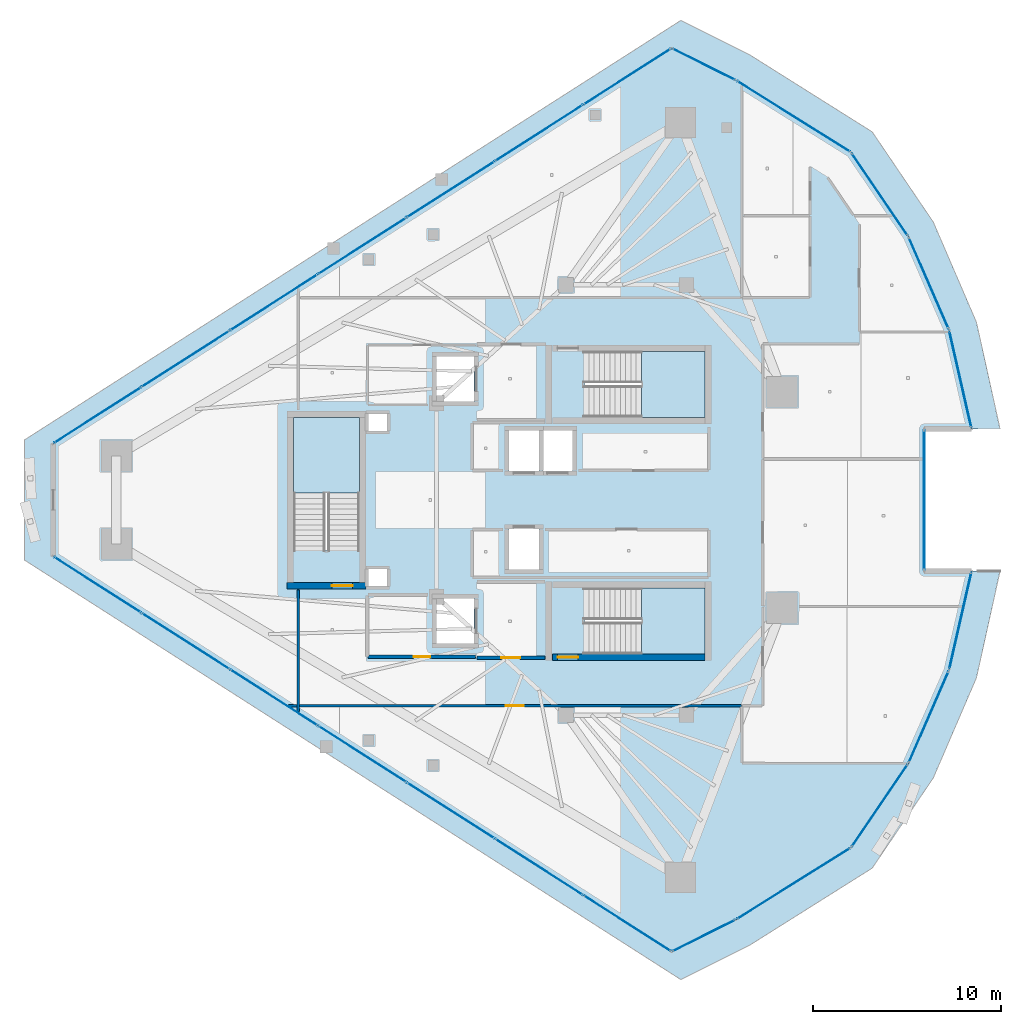
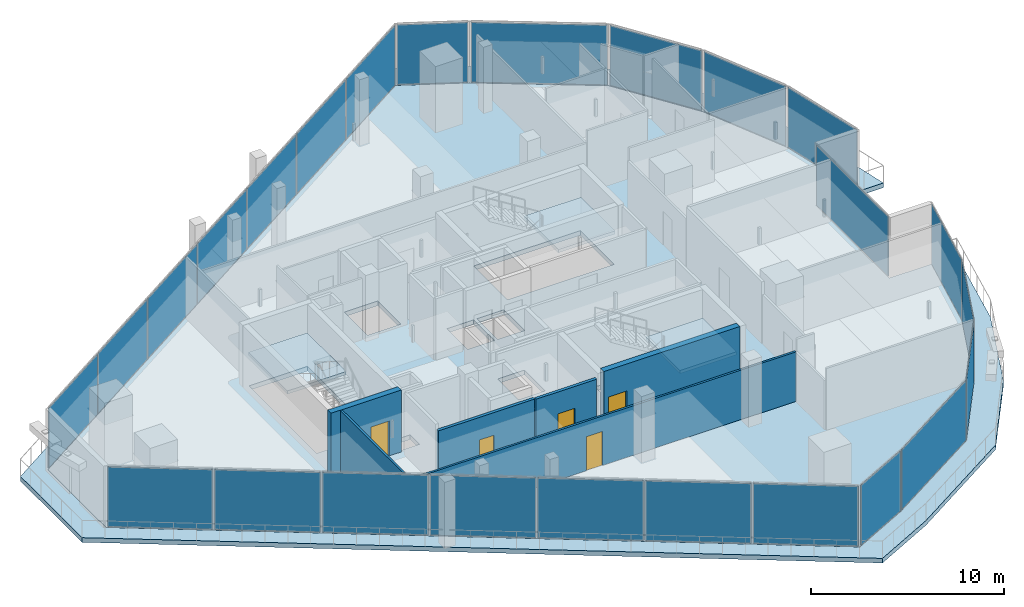
# One storey, part 24 of 34: 25 plates, 6 walls, 5 doors, 5 slabs, 5 openings, 16 elements without a shape of their own.
"""IFC4 building model written with IfcOpenShell, lengths in metres."""

import ifcopenshell
import ifcopenshell.guid

model = None  # the IFC model being written
_history = None  # IfcOwnerHistory: only IFC2X3 demands one
_inside = {}  # id of a spatial element -> (the spatial element, [elements in it])
_under = {}  # id of a project, library or spatial element -> (it, [spatial elements below it])
_declared = {}  # id of a project -> (the project, [libraries it declares])
_typed = {}  # id of a type object -> (the type object, [elements of that type])
_made_of = {}  # id of a material, layer set ... -> (it, [elements and type objects made of it])


def new_model(schema):
    """Start an empty IFC model of exactly this schema.

    Asked for "IFC4X3", IfcOpenShell would pick the latest addendum, in which some entities
    have other attributes; the version numbers below select the first issue.
    IFC2X3 requires an IfcOwnerHistory on every rooted entity: one is made here for all.
    """
    global model, _history
    if schema == "IFC4X3":
        model = ifcopenshell.file(schema_version=(4, 3, 0, 0))
    else:
        model = ifcopenshell.file(schema=schema)
    _inside.clear()
    _under.clear()
    _declared.clear()
    _typed.clear()
    _made_of.clear()
    _history = None
    if model.schema == "IFC2X3":
        org = make("IfcOrganization", Name="unknown")
        user = make(
            "IfcPersonAndOrganization",
            ThePerson=make("IfcPerson", FamilyName="unknown"),
            TheOrganization=org,
        )
        app = make(
            "IfcApplication",
            ApplicationDeveloper=org,
            Version="unknown",
            ApplicationFullName="unknown",
            ApplicationIdentifier="unknown",
        )
        _history = make(
            "IfcOwnerHistory",
            OwningUser=user,
            OwningApplication=app,
            ChangeAction="ADDED",
            CreationDate=0,
        )
    return model


def make(cls, **values):
    """One entity of the class cls with the attributes given. An attribute that is None is left unset."""
    return model.create_entity(
        cls, **{name: value for name, value in values.items() if value is not None}
    )


def rooted(cls, **values):
    """An entity with a GlobalId (a new one), such as an element, a storey or a relation."""
    return make(cls, GlobalId=ifcopenshell.guid.new(), OwnerHistory=_history, **values)


def si_unit(unit_type, name, prefix=None):
    """IfcSIUnit, for example si_unit("LENGTHUNIT", "METRE", prefix="MILLI")."""
    return make("IfcSIUnit", UnitType=unit_type, Prefix=prefix, Name=name)


def assignment(units):
    """IfcUnitAssignment: the units of a project."""
    return None if units is None else make("IfcUnitAssignment", Units=units)


def point(xyz):
    """IfcCartesianPoint."""
    return None if xyz is None else make("IfcCartesianPoint", Coordinates=xyz)


def direction(xyz):
    """IfcDirection."""
    return None if xyz is None else make("IfcDirection", DirectionRatios=xyz)


def frame(location, z_axis=None, x_axis=None):
    """IfcAxis2Placement3D, a coordinate frame: its origin and axes. An axis left out is left unset."""
    return make(
        "IfcAxis2Placement3D",
        Location=point(location),
        Axis=direction(z_axis),
        RefDirection=direction(x_axis),
    )


def frame_2d(location, x_axis=None):
    """IfcAxis2Placement2D, a coordinate frame in the plane: its origin and x axis."""
    return make(
        "IfcAxis2Placement2D", Location=point(location), RefDirection=direction(x_axis)
    )


def origin():
    """The frame at (0, 0, 0) with its axes left unset."""
    return frame((0.0, 0.0, 0.0))


def origin_2d():
    """The frame at (0, 0) in the plane with its x axis left unset."""
    return frame_2d((0.0, 0.0))


def place(relative_to, where):
    """IfcLocalPlacement: puts the frame where relative to a parent placement (None: the world)."""
    return make(
        "IfcLocalPlacement", PlacementRelTo=relative_to, RelativePlacement=where
    )


def context(
    kind, dimensions, precision=None, world=None, true_north=None, identifier=None
):
    """IfcGeometricRepresentationContext, for example the 3D "Model" context."""
    return make(
        "IfcGeometricRepresentationContext",
        ContextIdentifier=identifier,
        ContextType=kind,
        CoordinateSpaceDimension=dimensions,
        Precision=precision,
        WorldCoordinateSystem=world,
        TrueNorth=true_north,
    )


def subcontext(parent, identifier, kind, view, scale=None):
    """IfcGeometricRepresentationSubContext, for example "Body" below "Model"."""
    return make(
        "IfcGeometricRepresentationSubContext",
        ContextIdentifier=identifier,
        ContextType=kind,
        ParentContext=parent,
        TargetScale=scale,
        TargetView=view,
    )


def project(units=None, contexts=None):
    """IfcProject with its units and contexts."""
    return rooted(
        "IfcProject",
        Name="project",
        RepresentationContexts=contexts,
        UnitsInContext=assignment(units),
    )


def spatial(cls, under=None, at=None, **own):
    """A site, building, storey or space (cls), placed at a placement, below another one or the project."""
    s = rooted(cls, ObjectPlacement=at, **own)
    if under is not None:
        _under.setdefault(under.id(), (under, []))[1].append(s)
    return s


def polyline(points):
    """IfcPolyline through the points."""
    return make("IfcPolyline", Points=[point(p) for p in points])


def profile(cls, at=None, kind="AREA", **sizes):
    """A parametric profile (cls). Its sizes go by their IFC names, for example OverallWidth=200.0."""
    return make(cls, ProfileType=kind, Position=at, **sizes)


def rectangle(**sizes):
    """IfcRectangleProfileDef."""
    return profile("IfcRectangleProfileDef", **sizes)


def outline(outer, holes=None, kind="AREA"):
    """IfcArbitraryClosedProfileDef: a profile drawn as a closed curve; with holes, ...WithVoids."""
    if holes is None:
        return make("IfcArbitraryClosedProfileDef", ProfileType=kind, OuterCurve=outer)
    return make(
        "IfcArbitraryProfileDefWithVoids",
        ProfileType=kind,
        OuterCurve=outer,
        InnerCurves=holes,
    )


def extrude(swept, where, along, depth):
    """IfcExtrudedAreaSolid: the profile swept, set in the frame where, extruded along a direction by depth."""
    return make(
        "IfcExtrudedAreaSolid",
        SweptArea=swept,
        Position=where,
        ExtrudedDirection=direction(along),
        Depth=depth,
    )


def shape(context_of_items, identifier, shape_type, items):
    """IfcShapeRepresentation: the items that make up one representation, for example the "Body"."""
    return make(
        "IfcShapeRepresentation",
        ContextOfItems=context_of_items,
        RepresentationIdentifier=identifier,
        RepresentationType=shape_type,
        Items=items,
    )


def material(Name=None, Category=None):
    """IfcMaterial."""
    return make("IfcMaterial", Name=Name, Category=Category)


def layer(
    of_material, thickness, ventilated=None, Name=None, Category=None, Priority=None
):
    """IfcMaterialLayer: one layer of a wall or slab, of a material (None: an air gap)."""
    return make(
        "IfcMaterialLayer",
        Material=of_material,
        LayerThickness=thickness,
        IsVentilated=ventilated,
        Name=Name,
        Category=Category,
        Priority=Priority,
    )


def layer_set(layers, Name=None):
    """IfcMaterialLayerSet."""
    return make("IfcMaterialLayerSet", MaterialLayers=layers, LayerSetName=Name)


def made_of(thing, what):
    """Note that an element or type object is made of a material, layer set ...; save() writes the relation."""
    if what is not None:
        _made_of.setdefault(what.id(), (what, []))[1].append(thing)
    return thing


def type_object(cls, material=None, **own):
    """A type object (cls), such as IfcWallType, which elements share."""
    return made_of(rooted(cls, **own), material)


def element(
    cls,
    number,
    at=None,
    inside=None,
    cuts=None,
    type_object=None,
    material=None,
    context=None,
    identifier="Body",
    shape_type=None,
    held_by="IfcProductDefinitionShape",
    body=None,
    shapes=None,
    **own,
):
    """One element of the class cls, such as IfcWall. Its Tag is "e" and its number.

    at: its placement. inside: the storey or other place that contains it. cuts: it is an
    opening in that element (IfcRelVoidsElement). A single representation is given by context,
    identifier, shape_type and body (its items); several are given by shapes. held_by: the class
    of the entity that holds the representations. save() writes the other relations.
    """
    e = rooted(cls, Tag="e%d" % number, ObjectPlacement=at, **own)
    if body is not None:
        shapes = [shape(context, identifier, shape_type, body)]
    if shapes is not None:
        e.Representation = make(held_by, Representations=shapes)
    if inside is not None:
        _inside.setdefault(inside.id(), (inside, []))[1].append(e)
    if cuts is not None:
        rooted(
            "IfcRelVoidsElement", RelatingBuildingElement=cuts, RelatedOpeningElement=e
        )
    if type_object is not None:
        _typed.setdefault(type_object.id(), (type_object, []))[1].append(e)
    return made_of(e, material)


def fill(opening, filler):
    """IfcRelFillsElement: the door or window that sits in an opening."""
    return rooted(
        "IfcRelFillsElement",
        RelatingOpeningElement=opening,
        RelatedBuildingElement=filler,
    )


def aggregate(whole, parts):
    """IfcRelAggregates: a whole, such as a stair, and the parts it consists of."""
    return rooted("IfcRelAggregates", RelatingObject=whole, RelatedObjects=parts)


def save(model, path):
    """Write the relations noted so far, then the file.

    IfcRelAggregates (storeys below a building ...), IfcRelContainedInSpatialStructure (elements
    in a storey), IfcRelDefinesByType, IfcRelAssociatesMaterial and IfcRelDeclares: one each for
    every whole, place, type object, material and project.
    """
    for whole, parts in _under.values():
        aggregate(whole, parts)
    for where, things in _inside.values():
        rooted(
            "IfcRelContainedInSpatialStructure",
            RelatedElements=things,
            RelatingStructure=where,
        )
    for kind, things in _typed.values():
        rooted("IfcRelDefinesByType", RelatedObjects=things, RelatingType=kind)
    for what, things in _made_of.values():
        rooted("IfcRelAssociatesMaterial", RelatedObjects=things, RelatingMaterial=what)
    for by, libraries in _declared.values():
        rooted("IfcRelDeclares", RelatingContext=by, RelatedDefinitions=libraries)
    model.write(path)


model = new_model("IFC4")

# Units and contexts
model_context = context("Model", 3, precision=1e-05, world=origin(), true_north=direction((0.0, 1.0)))
body_context = subcontext(model_context, "Body", "Model", "MODEL_VIEW")
ifc_project = project(units=[si_unit("LENGTHUNIT", "METRE"), si_unit("AREAUNIT", "SQUARE_METRE"), si_unit("VOLUMEUNIT", "CUBIC_METRE"), si_unit("PLANEANGLEUNIT", "RADIAN"), si_unit("MASSUNIT", "GRAM", prefix="KILO")], contexts=[model_context])

# Site, building, storey
site_placement = place(None, origin())
site = spatial("IfcSite", under=ifc_project, at=site_placement, CompositionType="ELEMENT")
building_placement = place(site_placement, origin())
building = spatial("IfcBuilding", under=site, at=building_placement, Name="Qorvath Tower", CompositionType="ELEMENT")
storey_placement = place(building_placement, frame((0.0, 0.0, 268.199951171875)))
storey = spatial("IfcBuildingStorey", under=building, at=storey_placement, Name="L62", CompositionType="ELEMENT", Elevation=268.199951171875)

# Curtain wall, plates
ifc_material_1 = material(Name="Anodised aluminium and triple low-E glass", Category="aluminium")
ifc_layer_1 = layer(ifc_material_1, 0.179931640625)
ifc_layer_set_1 = layer_set([ifc_layer_1], Name="CW-SYS-4")
curtain_wall_type = type_object("IfcCurtainWallType", Name="CW-SYS-4", PredefinedType="NOTDEFINED", material=ifc_layer_set_1)
curtain_wall_1_placement = place(storey_placement, origin())
curtain_wall_1 = element("IfcCurtainWall", 1, at=curtain_wall_1_placement, inside=storey, type_object=curtain_wall_type, Name="Curtain Wall CW-4 CW-T-L62-2.1", PredefinedType="NOTDEFINED")
ifc_material_2 = material(Name="Acoustic laminated low-E glass", Category="glass")
ifc_layer_2 = layer(ifc_material_2, 0.0380859375)
ifc_layer_set_2 = layer_set([ifc_layer_2], Name="CWP-GLZ-38")
plate_type = type_object("IfcPlateType", Name="CWP-GLZ-38", PredefinedType="CURTAIN_PANEL", material=ifc_layer_set_2)
plate_1_placement = place(storey_placement, frame((-48.538818359375, -4.51904296875, 0.06494140625), z_axis=(0.0, 0.0, 1.0), x_axis=(0.842604094093, -0.538533509281, 0.0)))
plate_1 = element("IfcPlate", 2, at=plate_1_placement, type_object=plate_type, Name="CW-4 panel 1.1", PredefinedType="CURTAIN_PANEL", context=body_context, shape_type="SweptSolid", body=[
    extrude(rectangle(XDim=5.46923828125, YDim=0.0380859375, at=origin_2d()), origin(), (0.0, 0.0, 1.0), 3.780029296875),
])
plate_2_placement = place(storey_placement, frame((-43.8515625, -7.514892578125, 0.06494140625), z_axis=(0.0, 0.0, 1.0), x_axis=(0.842604094093, -0.538533509281, 0.0)))
plate_2 = element("IfcPlate", 3, at=plate_2_placement, type_object=plate_type, Name="CW-4 panel 2.1", PredefinedType="CURTAIN_PANEL", context=body_context, shape_type="SweptSolid", body=[
    extrude(rectangle(XDim=5.506591796875, YDim=0.0380859375, at=origin_2d()), origin(), (0.0, 0.0, 1.0), 3.780029296875),
])
plate_3_placement = place(storey_placement, frame((-39.148193359375, -10.520751953125, 0.06494140625), z_axis=(0.0, 0.0, 1.0), x_axis=(0.842604094093, -0.538533509281, 0.0)))
plate_3 = element("IfcPlate", 4, at=plate_3_placement, type_object=plate_type, Name="CW-4 panel 3.1", PredefinedType="CURTAIN_PANEL", context=body_context, shape_type="SweptSolid", body=[
    extrude(rectangle(XDim=5.506591796875, YDim=0.0380859375, at=origin_2d()), origin(), (0.0, 0.0, 1.0), 3.780029296875),
])
plate_4_placement = place(storey_placement, frame((-34.445068359375, -13.526611328125, 0.06494140625), z_axis=(0.0, 0.0, 1.0), x_axis=(0.842604094093, -0.538533509281, 0.0)))
plate_4 = element("IfcPlate", 5, at=plate_4_placement, type_object=plate_type, Name="CW-4 panel 4.1", PredefinedType="CURTAIN_PANEL", context=body_context, shape_type="SweptSolid", body=[
    extrude(rectangle(XDim=5.506591796875, YDim=0.0380859375, at=origin_2d()), origin(), (0.0, 0.0, 1.0), 3.780029296875),
])
plate_5_placement = place(storey_placement, frame((-29.741943359375, -16.532470703125, 0.06494140625), z_axis=(0.0, 0.0, 1.0), x_axis=(0.842604094093, -0.538533509281, 0.0)))
plate_5 = element("IfcPlate", 6, at=plate_5_placement, type_object=plate_type, Name="CW-4 panel 5.1", PredefinedType="CURTAIN_PANEL", context=body_context, shape_type="SweptSolid", body=[
    extrude(rectangle(XDim=5.506591796875, YDim=0.0380859375, at=origin_2d()), origin(), (0.0, 0.0, 1.0), 3.780029296875),
])
plate_6_placement = place(storey_placement, frame((-25.038818359375, -19.53857421875, 0.06494140625), z_axis=(0.0, 0.0, 1.0), x_axis=(0.842604094093, -0.538533509281, 0.0)))
plate_6 = element("IfcPlate", 7, at=plate_6_placement, type_object=plate_type, Name="CW-4 panel 6.1", PredefinedType="CURTAIN_PANEL", context=body_context, shape_type="SweptSolid", body=[
    extrude(rectangle(XDim=5.506591796875, YDim=0.0380859375, at=origin_2d()), origin(), (0.0, 0.0, 1.0), 3.780029296875),
])
plate_7_placement = place(storey_placement, frame((-20.3515625, -22.534423828125, 0.06494140625), z_axis=(0.0, 0.0, 1.0), x_axis=(0.842604094093, -0.538533509281, 0.0)))
plate_7 = element("IfcPlate", 8, at=plate_7_placement, type_object=plate_type, Name="CW-4 panel 7.1", PredefinedType="CURTAIN_PANEL", context=body_context, shape_type="SweptSolid", body=[
    extrude(rectangle(XDim=5.46923828125, YDim=0.0380859375, at=origin_2d()), origin(), (0.0, 0.0, 1.0), 3.780029296875),
])
aggregate(curtain_wall_1, [plate_1, plate_2, plate_3, plate_4, plate_5, plate_6, plate_7])

# Curtain wall, plate
curtain_wall_2_placement = place(storey_placement, origin())
curtain_wall_2 = element("IfcCurtainWall", 9, at=curtain_wall_2_placement, inside=storey, type_object=curtain_wall_type, Name="Curtain Wall CW-4 CW-T-L62-3.1", PredefinedType="NOTDEFINED")
plate_8_placement = place(storey_placement, frame((-16.266357421875, -23.1884765625, 0.06494140625), z_axis=(0.0, 0.0, 1.0), x_axis=(0.894411568906, 0.447244838324, 0.0)))
plate_8 = element("IfcPlate", 10, at=plate_8_placement, type_object=plate_type, Name="CW-4 panel 1.1", PredefinedType="CURTAIN_PANEL", context=body_context, shape_type="SweptSolid", body=[
    extrude(rectangle(XDim=3.69091796875, YDim=0.0380859375, at=origin_2d()), origin(), (0.0, 0.0, 1.0), 3.780029296875),
])
aggregate(curtain_wall_2, [plate_8])

curtain_wall_3_placement = place(storey_placement, origin())
curtain_wall_3 = element("IfcCurtainWall", 11, at=curtain_wall_3_placement, inside=storey, type_object=curtain_wall_type, Name="Curtain Wall CW-4 CW-T-L62-4.1", PredefinedType="NOTDEFINED")
plate_9_placement = place(storey_placement, frame((-11.489013671875, -20.415283203125, 0.06494140625), z_axis=(0.0, 0.0, 1.0), x_axis=(0.84777096848, 0.530362503391, 0.0)))
plate_9 = element("IfcPlate", 12, at=plate_9_placement, type_object=plate_type, Name="CW-4 panel 1.1", PredefinedType="CURTAIN_PANEL", context=body_context, shape_type="SweptSolid", body=[
    extrude(rectangle(XDim=7.068359375, YDim=0.0380859375, at=origin_2d()), origin(), (0.0, 0.0, 1.0), 3.780029296875),
])
aggregate(curtain_wall_3, [plate_9])

curtain_wall_4_placement = place(storey_placement, origin())
curtain_wall_4 = element("IfcCurtainWall", 13, at=curtain_wall_4_placement, inside=storey, type_object=curtain_wall_type, Name="Curtain Wall CW-4 CW-T-L62-5.1", PredefinedType="NOTDEFINED")
plate_10_placement = place(storey_placement, frame((-6.905029296875, -16.264892578125, 0.06494140625), z_axis=(0.0, 0.0, 1.0), x_axis=(0.56320266455, 0.826318799643, 0.0)))
plate_10 = element("IfcPlate", 14, at=plate_10_placement, type_object=plate_type, Name="CW-4 panel 1.1", PredefinedType="CURTAIN_PANEL", context=body_context, shape_type="SweptSolid", body=[
    extrude(rectangle(XDim=5.262451171875, YDim=0.0380859375, at=origin_2d()), origin(), (0.0, 0.0, 1.0), 3.780029296875),
])
aggregate(curtain_wall_4, [plate_10])

curtain_wall_5_placement = place(storey_placement, origin())
curtain_wall_5 = element("IfcCurtainWall", 15, at=curtain_wall_5_placement, inside=storey, type_object=curtain_wall_type, Name="Curtain Wall CW-4 CW-T-L62-6.1", PredefinedType="NOTDEFINED")
plate_11_placement = place(storey_placement, frame((-4.298583984375, -11.548095703125, 0.06494140625), z_axis=(0.0, 0.0, 1.0), x_axis=(0.399899872441, 0.91655883173, 0.0)))
plate_11 = element("IfcPlate", 16, at=plate_11_placement, type_object=plate_type, Name="CW-4 panel 1.1", PredefinedType="CURTAIN_PANEL", context=body_context, shape_type="SweptSolid", body=[
    extrude(rectangle(XDim=5.262939453125, YDim=0.0380859375, at=origin_2d()), origin(), (0.0, 0.0, 1.0), 3.780029296875),
])
aggregate(curtain_wall_5, [plate_11])

curtain_wall_6_placement = place(storey_placement, origin())
curtain_wall_6 = element("IfcCurtainWall", 17, at=curtain_wall_6_placement, inside=storey, type_object=curtain_wall_type, Name="Curtain Wall CW-4 CW-T-L62-7.1", PredefinedType="NOTDEFINED")
plate_12_placement = place(storey_placement, frame((-2.614013671875, -6.42919921875, 0.06494140625), z_axis=(0.0, 0.0, 1.0), x_axis=(0.222592024744, 0.974911683446, 0.0)))
plate_12 = element("IfcPlate", 18, at=plate_12_placement, type_object=plate_type, Name="CW-4 panel 1.1", PredefinedType="CURTAIN_PANEL", context=body_context, shape_type="SweptSolid", body=[
    extrude(rectangle(XDim=5.2626953125, YDim=0.0380859375, at=origin_2d()), origin(), (0.0, 0.0, 1.0), 3.780029296875),
])
aggregate(curtain_wall_6, [plate_12])

curtain_wall_7_placement = place(storey_placement, origin())
curtain_wall_7 = element("IfcCurtainWall", 19, at=curtain_wall_7_placement, inside=storey, type_object=curtain_wall_type, Name="Curtain Wall CW-4 CW-T-L62-9.1", PredefinedType="NOTDEFINED")
plate_13_placement = place(storey_placement, frame((-4.538818359375, 0.0, 0.06494140625), z_axis=(0.0, 0.0, 1.0), x_axis=(0.0, 1.0, 0.0)))
plate_13 = element("IfcPlate", 20, at=plate_13_placement, type_object=plate_type, Name="CW-4 panel 1.1", PredefinedType="CURTAIN_PANEL", context=body_context, shape_type="SweptSolid", body=[
    extrude(rectangle(XDim=7.431640625, YDim=0.0380859375, at=origin_2d()), origin(), (0.0, 0.0, 1.0), 3.780029296875),
])
aggregate(curtain_wall_7, [plate_13])

curtain_wall_8_placement = place(storey_placement, origin())
curtain_wall_8 = element("IfcCurtainWall", 21, at=curtain_wall_8_placement, inside=storey, type_object=curtain_wall_type, Name="Curtain Wall CW-4 CW-T-L62-11.1", PredefinedType="NOTDEFINED")
plate_14_placement = place(storey_placement, frame((-2.614013671875, 6.42919921875, 0.06494140625), z_axis=(0.0, 0.0, 1.0), x_axis=(-0.222592024744, 0.974911683446, 0.0)))
plate_14 = element("IfcPlate", 22, at=plate_14_placement, type_object=plate_type, Name="CW-4 panel 1.1", PredefinedType="CURTAIN_PANEL", context=body_context, shape_type="SweptSolid", body=[
    extrude(rectangle(XDim=5.2626953125, YDim=0.0380859375, at=origin_2d()), origin(), (0.0, 0.0, 1.0), 3.780029296875),
])
aggregate(curtain_wall_8, [plate_14])

curtain_wall_9_placement = place(storey_placement, origin())
curtain_wall_9 = element("IfcCurtainWall", 23, at=curtain_wall_9_placement, inside=storey, type_object=curtain_wall_type, Name="Curtain Wall CW-4 CW-T-L62-12.1", PredefinedType="NOTDEFINED")
plate_15_placement = place(storey_placement, frame((-4.298583984375, 11.548095703125, 0.06494140625), z_axis=(0.0, 0.0, 1.0), x_axis=(-0.399899872441, 0.91655883173, 0.0)))
plate_15 = element("IfcPlate", 24, at=plate_15_placement, type_object=plate_type, Name="CW-4 panel 1.1", PredefinedType="CURTAIN_PANEL", context=body_context, shape_type="SweptSolid", body=[
    extrude(rectangle(XDim=5.262939453125, YDim=0.0380859375, at=origin_2d()), origin(), (0.0, 0.0, 1.0), 3.780029296875),
])
aggregate(curtain_wall_9, [plate_15])

curtain_wall_10_placement = place(storey_placement, origin())
curtain_wall_10 = element("IfcCurtainWall", 25, at=curtain_wall_10_placement, inside=storey, type_object=curtain_wall_type, Name="Curtain Wall CW-4 CW-T-L62-13.1", PredefinedType="NOTDEFINED")
plate_16_placement = place(storey_placement, frame((-6.905029296875, 16.264892578125, 0.06494140625), z_axis=(0.0, 0.0, 1.0), x_axis=(-0.56320266455, 0.826318799643, 0.0)))
plate_16 = element("IfcPlate", 26, at=plate_16_placement, type_object=plate_type, Name="CW-4 panel 1.1", PredefinedType="CURTAIN_PANEL", context=body_context, shape_type="SweptSolid", body=[
    extrude(rectangle(XDim=5.262451171875, YDim=0.0380859375, at=origin_2d()), origin(), (0.0, 0.0, 1.0), 3.780029296875),
])
aggregate(curtain_wall_10, [plate_16])

curtain_wall_11_placement = place(storey_placement, origin())
curtain_wall_11 = element("IfcCurtainWall", 27, at=curtain_wall_11_placement, inside=storey, type_object=curtain_wall_type, Name="Curtain Wall CW-4 CW-T-L62-14.1", PredefinedType="NOTDEFINED")
plate_17_placement = place(storey_placement, frame((-11.489013671875, 20.415283203125, 0.06494140625), z_axis=(0.0, 0.0, 1.0), x_axis=(-0.84777096848, 0.530362503391, 0.0)))
plate_17 = element("IfcPlate", 28, at=plate_17_placement, type_object=plate_type, Name="CW-4 panel 1.1", PredefinedType="CURTAIN_PANEL", context=body_context, shape_type="SweptSolid", body=[
    extrude(rectangle(XDim=7.068359375, YDim=0.0380859375, at=origin_2d()), origin(), (0.0, 0.0, 1.0), 3.780029296875),
])
aggregate(curtain_wall_11, [plate_17])

curtain_wall_12_placement = place(storey_placement, origin())
curtain_wall_12 = element("IfcCurtainWall", 29, at=curtain_wall_12_placement, inside=storey, type_object=curtain_wall_type, Name="Curtain Wall CW-4 CW-T-L62-15.1", PredefinedType="NOTDEFINED")
plate_18_placement = place(storey_placement, frame((-16.266357421875, 23.1884765625, 0.06494140625), z_axis=(0.0, 0.0, 1.0), x_axis=(-0.894411568906, 0.447244838324, 0.0)))
plate_18 = element("IfcPlate", 30, at=plate_18_placement, type_object=plate_type, Name="CW-4 panel 1.1", PredefinedType="CURTAIN_PANEL", context=body_context, shape_type="SweptSolid", body=[
    extrude(rectangle(XDim=3.69091796875, YDim=0.0380859375, at=origin_2d()), origin(), (0.0, 0.0, 1.0), 3.780029296875),
])
aggregate(curtain_wall_12, [plate_18])

# Curtain wall, plates
curtain_wall_13_placement = place(storey_placement, origin())
curtain_wall_13 = element("IfcCurtainWall", 31, at=curtain_wall_13_placement, inside=storey, type_object=curtain_wall_type, Name="Curtain Wall CW-4 CW-T-L62-16.1", PredefinedType="NOTDEFINED")
plate_19_placement = place(storey_placement, frame((-20.3515625, 22.534423828125, 0.06494140625), z_axis=(0.0, 0.0, 1.0), x_axis=(-0.842604094093, -0.538533509281, 0.0)))
plate_19 = element("IfcPlate", 32, at=plate_19_placement, type_object=plate_type, Name="CW-4 panel 1.1", PredefinedType="CURTAIN_PANEL", context=body_context, shape_type="SweptSolid", body=[
    extrude(rectangle(XDim=5.46923828125, YDim=0.0380859375, at=origin_2d()), origin(), (0.0, 0.0, 1.0), 3.780029296875),
])
plate_20_placement = place(storey_placement, frame((-25.038818359375, 19.53857421875, 0.06494140625), z_axis=(0.0, 0.0, 1.0), x_axis=(-0.842604094093, -0.538533509281, 0.0)))
plate_20 = element("IfcPlate", 33, at=plate_20_placement, type_object=plate_type, Name="CW-4 panel 2.1", PredefinedType="CURTAIN_PANEL", context=body_context, shape_type="SweptSolid", body=[
    extrude(rectangle(XDim=5.506591796875, YDim=0.0380859375, at=origin_2d()), origin(), (0.0, 0.0, 1.0), 3.780029296875),
])
plate_21_placement = place(storey_placement, frame((-29.741943359375, 16.532470703125, 0.06494140625), z_axis=(0.0, 0.0, 1.0), x_axis=(-0.842604094093, -0.538533509281, 0.0)))
plate_21 = element("IfcPlate", 34, at=plate_21_placement, type_object=plate_type, Name="CW-4 panel 3.1", PredefinedType="CURTAIN_PANEL", context=body_context, shape_type="SweptSolid", body=[
    extrude(rectangle(XDim=5.506591796875, YDim=0.0380859375, at=origin_2d()), origin(), (0.0, 0.0, 1.0), 3.780029296875),
])
plate_22_placement = place(storey_placement, frame((-34.445068359375, 13.526611328125, 0.06494140625), z_axis=(0.0, 0.0, 1.0), x_axis=(-0.842604094093, -0.538533509281, 0.0)))
plate_22 = element("IfcPlate", 35, at=plate_22_placement, type_object=plate_type, Name="CW-4 panel 4.1", PredefinedType="CURTAIN_PANEL", context=body_context, shape_type="SweptSolid", body=[
    extrude(rectangle(XDim=5.506591796875, YDim=0.0380859375, at=origin_2d()), origin(), (0.0, 0.0, 1.0), 3.780029296875),
])
plate_23_placement = place(storey_placement, frame((-39.148193359375, 10.520751953125, 0.06494140625), z_axis=(0.0, 0.0, 1.0), x_axis=(-0.842604094093, -0.538533509281, 0.0)))
plate_23 = element("IfcPlate", 36, at=plate_23_placement, type_object=plate_type, Name="CW-4 panel 5.1", PredefinedType="CURTAIN_PANEL", context=body_context, shape_type="SweptSolid", body=[
    extrude(rectangle(XDim=5.506591796875, YDim=0.0380859375, at=origin_2d()), origin(), (0.0, 0.0, 1.0), 3.780029296875),
])
plate_24_placement = place(storey_placement, frame((-43.8515625, 7.514892578125, 0.06494140625), z_axis=(0.0, 0.0, 1.0), x_axis=(-0.842604094093, -0.538533509281, 0.0)))
plate_24 = element("IfcPlate", 37, at=plate_24_placement, type_object=plate_type, Name="CW-4 panel 6.1", PredefinedType="CURTAIN_PANEL", context=body_context, shape_type="SweptSolid", body=[
    extrude(rectangle(XDim=5.506591796875, YDim=0.0380859375, at=origin_2d()), origin(), (0.0, 0.0, 1.0), 3.780029296875),
])
plate_25_placement = place(storey_placement, frame((-48.538818359375, 4.51904296875, 0.06494140625), z_axis=(0.0, 0.0, 1.0), x_axis=(-0.842604094093, -0.538533509281, 0.0)))
plate_25 = element("IfcPlate", 38, at=plate_25_placement, type_object=plate_type, Name="CW-4 panel 7.1", PredefinedType="CURTAIN_PANEL", context=body_context, shape_type="SweptSolid", body=[
    extrude(rectangle(XDim=5.46923828125, YDim=0.0380859375, at=origin_2d()), origin(), (0.0, 0.0, 1.0), 3.780029296875),
])
aggregate(curtain_wall_13, [plate_19, plate_20, plate_21, plate_22, plate_23, plate_24, plate_25])

# Slab
ifc_material_3 = material(Name="Concrete C50/60", Category="concrete")
ifc_layer_3 = layer(ifc_material_3, 0.2900390625)
ifc_layer_set_3 = layer_set([ifc_layer_3], Name="SL-EXEC-290")
slab_type_1 = type_object("IfcSlabType", Name="SL-EXEC-290", PredefinedType="FLOOR", material=ifc_layer_set_3)
slab_1_placement = place(storey_placement, frame((0.0, 0.0, -0.2900390625)))
element("IfcSlab", 39, at=slab_1_placement, inside=storey, type_object=slab_type_1, Name="Tower L62 Interior Floor Slab", PredefinedType="FLOOR", context=body_context, shape_type="SweptSolid", body=[
    extrude(outline(polyline([(-50.90625, 3.005859375), (-50.90625, -3.005859375), (-17.984130859375, -24.04736328125), (-14.548828125, -22.32958984375), (-8.42919921875, -18.501220703125), (-5.380859375, -14.02880859375), (-3.21630859375, -9.067626953125), (-2.011474609375, -3.790771484375), (-4.538818359375, -3.790771484375), (-4.538818359375, 3.790771484375), (-2.011474609375, 3.790771484375), (-3.21630859375, 9.067626953125), (-5.380859375, 14.02880859375), (-8.42919921875, 18.501220703125), (-14.548828125, 22.32958984375), (-17.984130859375, 24.04736328125), (-50.90625, 3.005859375)]), holes=[polyline([(-16.2451171875, -8.199951171875), (-22.625, -8.199951171875), (-22.625, -4.68994140625), (-16.2451171875, -4.68994140625), (-16.2451171875, -8.199951171875)]), polyline([(-22.625, 4.39990234375), (-22.625, 7.909912109375), (-16.2451171875, 7.909912109375), (-16.2451171875, 4.39990234375), (-22.625, 4.39990234375)]), polyline([(-23.25, 1.550048828125), (-24.85009765625, 1.550048828125), (-24.85009765625, 3.699951171875), (-23.25, 3.699951171875), (-23.25, 1.550048828125)]), polyline([(-26.64990234375, -3.699951171875), (-26.64990234375, -1.550048828125), (-25.050048828125, -1.550048828125), (-25.050048828125, -3.699951171875), (-26.64990234375, -3.699951171875)]), polyline([(-25.050048828125, 1.550048828125), (-26.64990234375, 1.550048828125), (-26.64990234375, 3.699951171875), (-25.050048828125, 3.699951171875), (-25.050048828125, 1.550048828125)]), polyline([(-28.5, -7.64990234375), (-30.5, -7.64990234375), (-30.5, -5.25), (-28.5, -5.25), (-28.5, -7.64990234375)]), polyline([(-30.5, 5.25), (-30.5, 7.64990234375), (-28.5, 7.64990234375), (-28.5, 5.25), (-30.5, 5.25)]), polyline([(-33.10009765625, -4.6201171875), (-34.14990234375, -4.6201171875), (-34.14990234375, -3.64990234375), (-33.10009765625, -3.64990234375), (-33.10009765625, -4.6201171875)]), polyline([(-33.10009765625, 3.64990234375), (-34.14990234375, 3.64990234375), (-34.14990234375, 4.6201171875), (-33.10009765625, 4.6201171875), (-33.10009765625, 3.64990234375)]), polyline([(-34.60009765625, -2.675048828125), (-38.110107421875, -2.675048828125), (-38.110107421875, 4.35498046875), (-34.60009765625, 4.35498046875), (-34.60009765625, -2.675048828125)])]), origin(), (0.0, 0.0, 1.0), 0.2900390625),
])

# Stair, slab
ifc_material_4 = material(Name="Concrete C50/60", Category="concrete")
stair_type = type_object("IfcStairType", Name="ST-H420", PredefinedType="HALF_TURN_STAIR", material=ifc_material_4)
stair_1_placement = place(storey_placement, origin())
stair_1 = element("IfcStair", 40, at=stair_1_placement, inside=storey, type_object=stair_type, Name="L62 Tower Exit Stair 1", PredefinedType="HALF_TURN_STAIR")
ifc_material_5 = material(Name="Concrete C50/60", Category="concrete")
ifc_layer_4 = layer(ifc_material_5, 0.199951171875)
ifc_layer_set_4 = layer_set([ifc_layer_4], Name="SL-LND-200")
slab_type_2 = type_object("IfcSlabType", Name="SL-LND-200", PredefinedType="LANDING", material=ifc_layer_set_4)
slab_2_placement = place(storey_placement, frame((0.0, 0.0, 1.900146484375)))
slab_2 = element("IfcSlab", 41, at=slab_2_placement, type_object=slab_type_2, Name="TS1 landing 1", PredefinedType="LANDING", context=body_context, shape_type="SweptSolid", body=[
    extrude(outline(polyline([(-19.590087890625, 4.39990234375), (-16.199951171875, 4.39990234375), (-16.199951171875, 7.909912109375), (-19.590087890625, 7.909912109375), (-19.590087890625, 4.39990234375)])), origin(), (0.0, 0.0, 1.0), 0.199951171875),
])
aggregate(stair_1, [slab_2])

stair_2_placement = place(storey_placement, origin())
stair_2 = element("IfcStair", 42, at=stair_2_placement, inside=storey, type_object=stair_type, Name="L62 Tower Exit Stair 2", PredefinedType="HALF_TURN_STAIR")
slab_3_placement = place(storey_placement, frame((0.0, 0.0, 1.900146484375)))
slab_3 = element("IfcSlab", 43, at=slab_3_placement, type_object=slab_type_2, Name="TS2 landing 1", PredefinedType="LANDING", context=body_context, shape_type="SweptSolid", body=[
    extrude(outline(polyline([(-19.590087890625, -8.199951171875), (-16.199951171875, -8.199951171875), (-16.199951171875, -4.68994140625), (-19.590087890625, -4.68994140625), (-19.590087890625, -8.199951171875)])), origin(), (0.0, 0.0, 1.0), 0.199951171875),
])
aggregate(stair_2, [slab_3])

stair_3_placement = place(storey_placement, origin())
stair_3 = element("IfcStair", 44, at=stair_3_placement, inside=storey, type_object=stair_type, Name="L62 Tower Exit Stair 3", PredefinedType="HALF_TURN_STAIR")
slab_4_placement = place(storey_placement, frame((0.0, 0.0, 1.900146484375)))
slab_4 = element("IfcSlab", 45, at=slab_4_placement, type_object=slab_type_2, Name="TS3 landing 1", PredefinedType="LANDING", context=body_context, shape_type="SweptSolid", body=[
    extrude(outline(polyline([(-34.60009765625, 0.360107421875), (-34.60009765625, 4.39990234375), (-38.110107421875, 4.39990234375), (-38.110107421875, 0.360107421875), (-34.60009765625, 0.360107421875)])), origin(), (0.0, 0.0, 1.0), 0.199951171875),
])
aggregate(stair_3, [slab_4])

# Slab
ifc_material_6 = material(Name="Precast concrete C45/55", Category="concrete")
ifc_layer_5 = layer(ifc_material_6, 0.2900390625)
ifc_layer_set_5 = layer_set([ifc_layer_5], Name="SL-LOG-290")
slab_type_3 = type_object("IfcSlabType", Name="SL-LOG-290", PredefinedType="FLOOR", material=ifc_layer_set_5)
slab_5_placement = place(storey_placement, frame((0.0, 0.0, -0.2900390625)))
element("IfcSlab", 46, at=slab_5_placement, inside=storey, type_object=slab_type_3, Name="Tower L62 Perimeter Loggia and Terrace Slab", PredefinedType="FLOOR", context=body_context, shape_type="SweptSolid", body=[
    extrude(outline(polyline([(-2.011474609375, -3.790771484375), (-3.21630859375, -9.067626953125), (-5.380859375, -14.02880859375), (-8.42919921875, -18.501220703125), (-14.548828125, -22.32958984375), (-17.984130859375, -24.04736328125), (-50.90625, -3.005859375), (-50.90625, 3.005859375), (-17.984130859375, 24.04736328125), (-14.548828125, 22.32958984375), (-8.42919921875, 18.501220703125), (-5.380859375, 14.02880859375), (-3.21630859375, 9.067626953125), (-2.011474609375, 3.790771484375), (-0.5029296875, 3.790771484375), (-1.757080078125, 9.45849609375), (-4.052978515625, 14.790283203125), (-7.30859375, 19.596435546875), (-13.843017578125, 23.7060546875), (-17.489990234375, 25.52978515625), (-52.44140625, 3.191162109375), (-52.44140625, -3.191162109375), (-17.489990234375, -25.52978515625), (-13.843017578125, -23.7060546875), (-7.30859375, -19.596435546875), (-4.052978515625, -14.790283203125), (-1.757080078125, -9.45849609375), (-0.5029296875, -3.790771484375), (-2.011474609375, -3.790771484375)])), origin(), (0.0, 0.0, 1.0), 0.2900390625),
])

# Wall, opening, door
ifc_material_7 = material(Name="Gypsum shaftliner on steel studs", Category="steel")
ifc_layer_6 = layer(ifc_material_7, 0.179931640625)
ifc_layer_set_6 = layer_set([ifc_layer_6], Name="FW-LOBBY")
wall_type_1 = type_object("IfcWallType", Name="FW-LOBBY", PredefinedType="PARTITIONING", material=ifc_layer_set_6)
wall_1_placement = place(storey_placement, frame((-28.35498046875, -8.39990234375, 0.0), z_axis=(0.0, 0.0, 1.0), x_axis=(1.0, 0.0, 0.0)))
wall_1 = element("IfcWall", 47, at=wall_1_placement, inside=storey, type_object=wall_type_1, Name="Interior Partition IW-T1-L62-003", PredefinedType="PARTITIONING", context=body_context, shape_type="SweptSolid", body=[
    extrude(rectangle(XDim=3.6220703125, YDim=0.179931640625, at=frame_2d((1.81103515625, 0.0))), origin(), (0.0, 0.0, 1.0), 3.529052734375),
])
opening_1_placement = place(wall_1_placement, frame((1.31103515625, 0.0, 0.0)))
opening_1 = element("IfcOpeningElement", 48, at=opening_1_placement, cuts=wall_1, Name="Opening D-T1-L62-02", PredefinedType="OPENING", context=body_context, shape_type="SweptSolid", body=[
    extrude(rectangle(XDim=1.0, YDim=2.14990234375, at=frame_2d((0.5, 1.074951171875))), frame((0.0, 0.10009765625, 0.0), z_axis=(0.0, -1.0, 0.0), x_axis=(1.0, 0.0, 0.0)), (0.0, 0.0, 1.0), 0.199951171875),
])
ifc_material_8 = material(Name="Painted galvanised hollow metal", Category="steel")
door_type_1 = type_object("IfcDoorType", Name="FD-60", OperationType="NOTDEFINED", PredefinedType="DOOR", material=ifc_material_8)
door_1_placement = place(opening_1_placement, origin())
door_1 = element("IfcDoor", 49, at=door_1_placement, inside=storey, type_object=door_type_1, Name="Lobby Fire Service Elevator South Door D-T1-L62-02", OperationType="SINGLE_SWING_LEFT", OverallHeight=2.14990234375, OverallWidth=1.0, PredefinedType="DOOR", context=body_context, shape_type="SweptSolid", body=[
    extrude(rectangle(XDim=1.0, YDim=2.14990234375, at=frame_2d((0.5, 1.074951171875))), frame((0.0, 0.02490234375, 0.0), z_axis=(0.0, -1.0, 0.0), x_axis=(1.0, 0.0, 0.0)), (0.0, 0.0, 1.0), 0.050048828125),
])
fill(opening_1, door_1)

wall_2_placement = place(storey_placement, frame((-34.15478515625, -8.35009765625, 0.0), z_axis=(0.0, 0.0, 1.0), x_axis=(1.0, 0.0, 0.0)))
wall_2 = element("IfcWall", 50, at=wall_2_placement, inside=storey, type_object=wall_type_1, Name="Interior Partition IW-T1-L62-020", PredefinedType="PARTITIONING", context=body_context, shape_type="SweptSolid", body=[
    extrude(rectangle(XDim=5.741943359375, YDim=0.179931640625, at=frame_2d((2.87109375, 0.0))), origin(), (0.0, 0.0, 1.0), 3.529052734375),
])
opening_2_placement = place(wall_2_placement, frame((2.430908203125, 0.0, 0.0)))
opening_2 = element("IfcOpeningElement", 51, at=opening_2_placement, cuts=wall_2, Name="Opening D-T1-L62-06", PredefinedType="OPENING", context=body_context, shape_type="SweptSolid", body=[
    extrude(rectangle(XDim=0.8798828125, YDim=2.10009765625, at=frame_2d((0.43994140625, 1.050048828125))), frame((0.0, 0.10009765625, 0.0), z_axis=(0.0, -1.0, 0.0), x_axis=(1.0, 0.0, 0.0)), (0.0, 0.0, 1.0), 0.199951171875),
])
ifc_material_9 = material(Name="Painted galvanised hollow metal", Category="steel")
door_type_2 = type_object("IfcDoorType", Name="FD-60N", OperationType="NOTDEFINED", PredefinedType="DOOR", material=ifc_material_9)
door_2_placement = place(opening_2_placement, origin())
door_2 = element("IfcDoor", 52, at=door_2_placement, inside=storey, type_object=door_type_2, Name="Core electrical and cleaner room L62 Door D-T1-L62-06", OperationType="SINGLE_SWING_LEFT", OverallHeight=2.10009765625, OverallWidth=0.8798828125, PredefinedType="DOOR", context=body_context, shape_type="SweptSolid", body=[
    extrude(rectangle(XDim=0.8798828125, YDim=2.10009765625, at=frame_2d((0.43994140625, 1.050048828125))), frame((0.0, 0.02490234375, 0.0), z_axis=(0.0, -1.0, 0.0), x_axis=(1.0, 0.0, 0.0)), (0.0, 0.0, 1.0), 0.050048828125),
])
fill(opening_2, door_2)

ifc_material_10 = material(Name="Gypsum board on metal studs with mineral wool", Category="gypsum")
ifc_layer_7 = layer(ifc_material_10, 0.125)
ifc_layer_set_7 = layer_set([ifc_layer_7], Name="IW-PART-125")
wall_type_2 = type_object("IfcWallType", Name="IW-PART-125", PredefinedType="PARTITIONING", material=ifc_layer_set_7)
wall_3_placement = place(storey_placement, frame((-38.384033203125, -10.9580078125, 0.0), z_axis=(0.0, 0.0, 1.0), x_axis=(1.0, 0.0, 0.0)))
wall_3 = element("IfcWall", 53, at=wall_3_placement, inside=storey, type_object=wall_type_2, Name="Interior Partition IW-T1-L62-023", PredefinedType="PARTITIONING", context=body_context, shape_type="SweptSolid", body=[
    extrude(rectangle(XDim=24.109130859375, YDim=0.125, at=frame_2d((12.0546875, 0.0))), origin(), (0.0, 0.0, 1.0), 3.130126953125),
])
opening_3_placement = place(wall_3_placement, frame((11.57958984375, 0.0, 0.0)))
opening_3 = element("IfcOpeningElement", 54, at=opening_3_placement, cuts=wall_3, Name="Opening D-T1-L62-07", PredefinedType="OPENING", context=body_context, shape_type="SweptSolid", body=[
    extrude(rectangle(XDim=0.949951171875, YDim=2.14990234375, at=frame_2d((0.47509765625, 1.074951171875))), frame((0.0, 0.072509765625, 0.0), z_axis=(0.0, -1.0, 0.0), x_axis=(1.0, 0.0, 0.0)), (0.0, 0.0, 1.0), 0.14501953125),
])
ifc_material_11 = material(Name="Solid-core American white oak veneer", Category="wood")
door_type_3 = type_object("IfcDoorType", Name="D-01", OperationType="NOTDEFINED", PredefinedType="DOOR", material=ifc_material_11)
door_3_placement = place(opening_3_placement, origin())
door_3 = element("IfcDoor", 55, at=door_3_placement, inside=storey, type_object=door_type_3, Name="L62-01 Open Workplace Studio Door D-T1-L62-07", OperationType="SINGLE_SWING_RIGHT", OverallHeight=2.14990234375, OverallWidth=0.949951171875, PredefinedType="DOOR", context=body_context, shape_type="SweptSolid", body=[
    extrude(rectangle(XDim=0.949951171875, YDim=2.14990234375, at=frame_2d((0.47509765625, 1.074951171875))), frame((0.0, 0.02490234375, 0.0), z_axis=(0.0, -1.0, 0.0), x_axis=(1.0, 0.0, 0.0)), (0.0, 0.0, 1.0), 0.050048828125),
])
fill(opening_3, door_3)

# Wall
wall_4_placement = place(storey_placement, frame((-37.85791015625, -4.783203125, 0.0), z_axis=(0.0, 0.0, 1.0), x_axis=(0.0, -1.0, 0.0)))
element("IfcWall", 56, at=wall_4_placement, inside=storey, type_object=wall_type_2, Name="Interior Partition IW-T1-L62-024", PredefinedType="PARTITIONING", context=body_context, shape_type="SweptSolid", body=[
    extrude(rectangle(XDim=6.482177734375, YDim=0.125, at=frame_2d((3.2412109375, 0.0))), origin(), (0.0, 0.0, 1.0), 3.91015625),
])

# Wall, opening, door
ifc_material_12 = material(Name="Concrete C60/75", Category="concrete")
ifc_layer_8 = layer(ifc_material_12, 0.35009765625)
ifc_layer_set_8 = layer_set([ifc_layer_8], Name="SW-STAIR")
wall_type_3 = type_object("IfcWallType", Name="SW-STAIR", PredefinedType="SHEAR", material=ifc_layer_set_8)
wall_5_placement = place(storey_placement, frame((-24.3349609375, -8.375, 0.0), z_axis=(0.0, 0.0, 1.0), x_axis=(1.0, 0.0, 0.0)))
wall_5 = element("IfcWall", 57, at=wall_5_placement, inside=storey, type_object=wall_type_3, Name="Stair TS2 Shear Wall L62 LEFT", PredefinedType="SHEAR", context=body_context, shape_type="SweptSolid", body=[
    extrude(rectangle(XDim=8.119873046875, YDim=0.35009765625, at=frame_2d((4.06005859375, 0.0))), origin(), (0.0, 0.0, 1.0), 3.91015625),
])
opening_4_placement = place(wall_5_placement, frame((0.280029296875, 0.0, 0.0)))
opening_4 = element("IfcOpeningElement", 58, at=opening_4_placement, cuts=wall_5, Name="Opening D-TS2-L62", PredefinedType="OPENING", context=body_context, shape_type="SweptSolid", body=[
    extrude(rectangle(XDim=1.10009765625, YDim=2.199951171875, at=frame_2d((0.550048828125, 1.10009765625))), frame((0.0, 0.18505859375, 0.0), z_axis=(0.0, -1.0, 0.0), x_axis=(1.0, 0.0, 0.0)), (0.0, 0.0, 1.0), 0.3701171875),
])
ifc_material_13 = material(Name="Painted galvanised hollow metal", Category="steel")
door_type_4 = type_object("IfcDoorType", Name="FD-90", OperationType="NOTDEFINED", PredefinedType="DOOR", material=ifc_material_13)
door_4_placement = place(opening_4_placement, origin())
door_4 = element("IfcDoor", 59, at=door_4_placement, inside=storey, type_object=door_type_4, Name="Stair TS2 Fire Door L62", OperationType="SINGLE_SWING_LEFT", OverallHeight=2.199951171875, OverallWidth=1.10009765625, PredefinedType="DOOR", context=body_context, shape_type="SweptSolid", body=[
    extrude(rectangle(XDim=1.10009765625, YDim=2.199951171875, at=frame_2d((0.550048828125, 1.10009765625))), frame((0.0, 0.02490234375, 0.0), z_axis=(0.0, -1.0, 0.0), x_axis=(1.0, 0.0, 0.0)), (0.0, 0.0, 1.0), 0.050048828125),
])
fill(opening_4, door_4)

wall_6_placement = place(storey_placement, frame((-38.4599609375, -4.574951171875, 0.0), z_axis=(0.0, 0.0, 1.0), x_axis=(1.0, 0.0, 0.0)))
wall_6 = element("IfcWall", 60, at=wall_6_placement, inside=storey, type_object=wall_type_3, Name="Stair TS3 Shear Wall L62 NEAR", PredefinedType="SHEAR", context=body_context, shape_type="SweptSolid", body=[
    extrude(rectangle(XDim=4.2099609375, YDim=0.35009765625, at=frame_2d((2.10498046875, 0.0))), origin(), (0.0, 0.0, 1.0), 3.91015625),
])
opening_5_placement = place(wall_6_placement, frame((2.389892578125, 0.0, 0.0)))
opening_5 = element("IfcOpeningElement", 61, at=opening_5_placement, cuts=wall_6, Name="Opening D-TS3-L62", PredefinedType="OPENING", context=body_context, shape_type="SweptSolid", body=[
    extrude(rectangle(XDim=1.10009765625, YDim=2.199951171875, at=frame_2d((0.550048828125, 1.10009765625))), frame((0.0, 0.18505859375, 0.0), z_axis=(0.0, -1.0, 0.0), x_axis=(1.0, 0.0, 0.0)), (0.0, 0.0, 1.0), 0.3701171875),
])
door_5_placement = place(opening_5_placement, origin())
door_5 = element("IfcDoor", 62, at=door_5_placement, inside=storey, type_object=door_type_4, Name="Stair TS3 Fire Door L62", OperationType="SINGLE_SWING_LEFT", OverallHeight=2.199951171875, OverallWidth=1.10009765625, PredefinedType="DOOR", context=body_context, shape_type="SweptSolid", body=[
    extrude(rectangle(XDim=1.10009765625, YDim=2.199951171875, at=frame_2d((0.550048828125, 1.10009765625))), frame((0.0, 0.02490234375, 0.0), z_axis=(0.0, -1.0, 0.0), x_axis=(1.0, 0.0, 0.0)), (0.0, 0.0, 1.0), 0.050048828125),
])
fill(opening_5, door_5)

save(model, "model.ifc")
